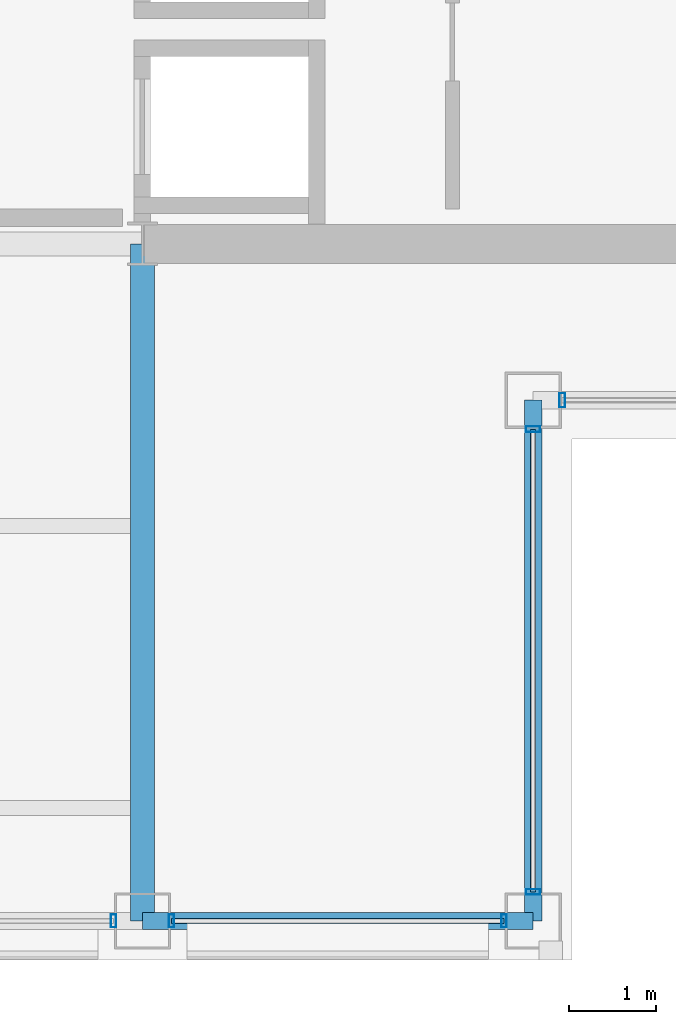
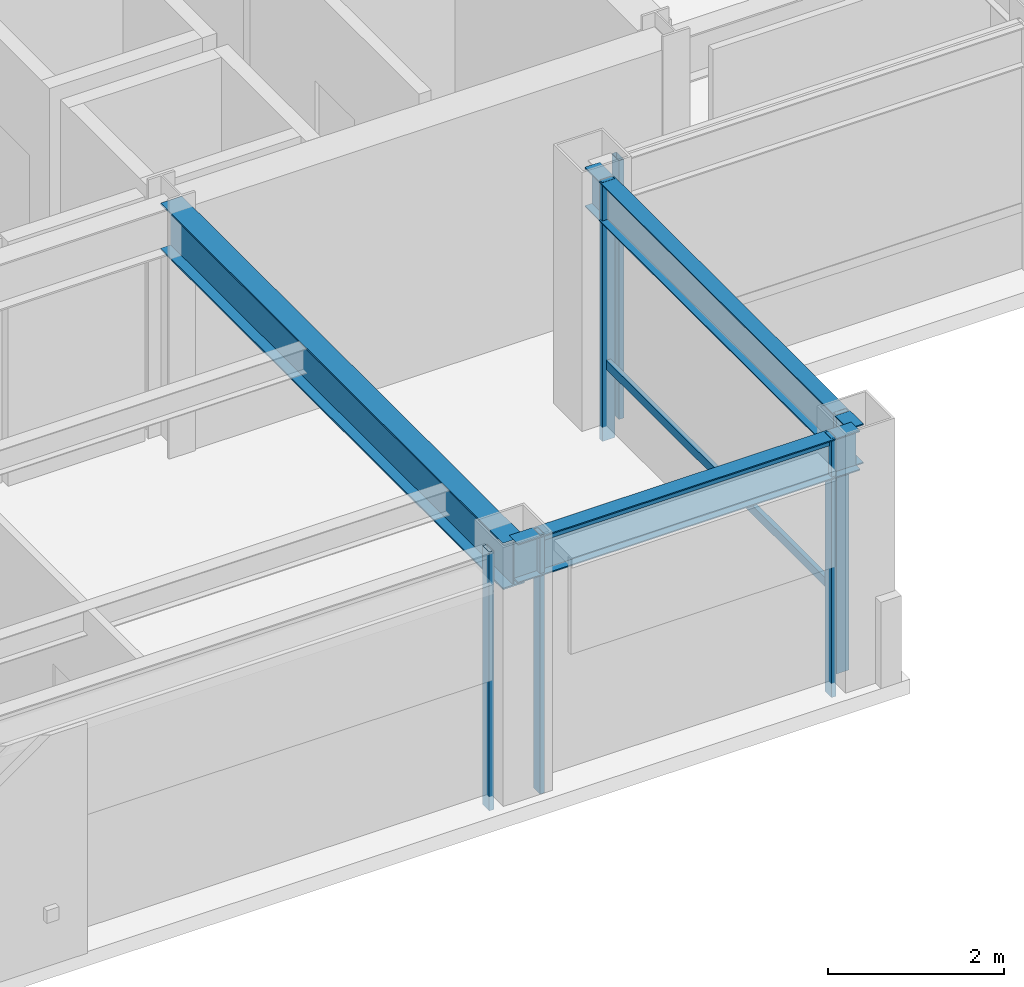
# One storey, part 4 of 23: 8 members, 3 beams, 4 elements without a shape of their own.
"""IFC4 building model written with IfcOpenShell, lengths in metres."""

from ifc_helpers import new_model, si_unit, direction, frame, origin, origin_2d, place, context, subcontext, project, spatial, hollow_rectangle, i_section, extrude, material, layer, layer_set, material_profile, profile_set, type_object, element, aggregate, save


model = new_model("IFC4")

# Units and contexts
model_context = context("Model", 3, precision=1e-05, world=origin(), true_north=direction((0.0, 1.0)))
body_context = subcontext(model_context, "Body", "Model", "MODEL_VIEW")
ifc_project = project(units=[si_unit("LENGTHUNIT", "METRE"), si_unit("AREAUNIT", "SQUARE_METRE"), si_unit("VOLUMEUNIT", "CUBIC_METRE"), si_unit("PLANEANGLEUNIT", "RADIAN"), si_unit("MASSUNIT", "GRAM", prefix="KILO")], contexts=[model_context])

# Site, building, storey
site_placement = place(None, origin())
site = spatial("IfcSite", under=ifc_project, at=site_placement, CompositionType="ELEMENT")
building_placement = place(site_placement, origin())
building = spatial("IfcBuilding", under=site, at=building_placement, Name="Brelmoor Portico Tower", CompositionType="ELEMENT")
storey_placement = place(building_placement, frame((0.0, 0.0, 222.0)))
storey = spatial("IfcBuildingStorey", under=building, at=storey_placement, Name="L58", CompositionType="ELEMENT", Elevation=222.0)

# Beams
ifc_material_1 = material(Name="Steel Q355B", Category="steel")
ifc_material_profile_1 = material_profile(ifc_material_1, i_section(OverallWidth=0.280029296875, OverallDepth=0.64990234375, WebThickness=0.012939453125, FlangeThickness=0.02197265625, at=origin_2d()), Name="HN 650x280x13x22")
ifc_profile_set_1 = profile_set([ifc_material_profile_1], Name="Steel Q355B")
beam_type_1 = type_object("IfcBeamType", Name="BM-PG-650", PredefinedType="BEAM", material=ifc_profile_set_1)
beam_1_placement = place(storey_placement, frame((8.050048828125, -17.550048828125, 3.074951171875), z_axis=(0.0, 1.0, 0.0), x_axis=(-1.0, 0.0, 0.0)))
element("IfcBeam", 1, at=beam_1_placement, inside=storey, type_object=beam_type_1, Name="L58 Primary Floor Girder PG-06", PredefinedType="BEAM", context=body_context, shape_type="SweptSolid", body=[
    extrude(i_section(OverallWidth=0.280029296875, OverallDepth=0.64990234375, WebThickness=0.012939453125, FlangeThickness=0.02197265625, at=origin_2d()), origin(), (0.0, 0.0, 1.0), 7.800048828125),
])
ifc_material_profile_2 = material_profile(ifc_material_1, i_section(OverallWidth=0.199951171875, OverallDepth=0.550048828125, WebThickness=0.010009765625, FlangeThickness=0.01611328125, at=origin_2d()), Name="HN 550x200x10x16")
ifc_profile_set_2 = profile_set([ifc_material_profile_2], Name="Steel Q355B")
beam_type_2 = type_object("IfcBeamType", Name="BM-SP-550", PredefinedType="SPANDREL", material=ifc_profile_set_2)
beam_2_placement = place(storey_placement, frame((8.050048828125, -17.550048828125, 3.125), z_axis=(1.0, 0.0, 0.0), x_axis=(0.0, 1.0, 0.0)))
element("IfcBeam", 2, at=beam_2_placement, inside=storey, type_object=beam_type_2, Name="L58 Perimeter Spandrel Beam SP-03", PredefinedType="SPANDREL", context=body_context, shape_type="SweptSolid", body=[
    extrude(i_section(OverallWidth=0.199951171875, OverallDepth=0.550048828125, WebThickness=0.010009765625, FlangeThickness=0.01611328125, at=origin_2d()), origin(), (0.0, 0.0, 1.0), 4.5),
])
beam_3_placement = place(storey_placement, frame((12.550048828125, -17.550048828125, 3.125), z_axis=(0.0, 1.0, 0.0), x_axis=(-1.0, 0.0, 0.0)))
element("IfcBeam", 3, at=beam_3_placement, inside=storey, type_object=beam_type_2, Name="L58 Perimeter Spandrel Beam SP-16", PredefinedType="SPANDREL", context=body_context, shape_type="SweptSolid", body=[
    extrude(i_section(OverallWidth=0.199951171875, OverallDepth=0.550048828125, WebThickness=0.010009765625, FlangeThickness=0.01611328125, at=origin_2d()), origin(), (0.0, 0.0, 1.0), 6.0),
])

# Curtain wall, member
ifc_material_2 = material(Name="Anodised Aluminium Alloy 6063-T6", Category="aluminium")
ifc_layer_1 = layer(ifc_material_2, 0.179931640625)
ifc_layer_set_1 = layer_set([ifc_layer_1], Name="Anodised Aluminium Alloy 6063-T6")
curtain_wall_type_1 = type_object("IfcCurtainWallType", Name="CW-TOWER-Z4-XB", PredefinedType="NOTDEFINED", material=ifc_layer_set_1)
curtain_wall_1_placement = place(storey_placement, origin())
curtain_wall_1 = element("IfcCurtainWall", 4, at=curtain_wall_1_placement, inside=storey, type_object=curtain_wall_type_1, Name="L58 Curtain Wall CW-L58-01-2", PredefinedType="NOTDEFINED")
ifc_material_profile_3 = material_profile(ifc_material_2, hollow_rectangle(XDim=0.06005859375, YDim=0.14990234375, WallThickness=0.00390625, at=origin_2d()), Name="ALU MULLION 60x150")
ifc_profile_set_3 = profile_set([ifc_material_profile_3], Name="Anodised Aluminium Alloy 6063-T6")
member_type_1 = type_object("IfcMemberType", Name="MB-CW-MULL-150", PredefinedType="MULLION", material=ifc_profile_set_3)
member_1_placement = place(storey_placement, frame((7.715087890625, -17.550048828125, -0.199951171875), z_axis=(0.0, 0.0, 1.0), x_axis=(1.0, 0.0, 0.0)))
member_1 = element("IfcMember", 5, at=member_1_placement, type_object=member_type_1, Name="CW-L58-01-2 Mullion 01", PredefinedType="MULLION", context=body_context, shape_type="SweptSolid", body=[
    extrude(hollow_rectangle(XDim=0.06005859375, YDim=0.14990234375, WallThickness=0.00390625, at=origin_2d()), origin(), (0.0, 0.0, 1.0), 3.599853515625),
])
aggregate(curtain_wall_1, [member_1])

# Curtain wall, members
curtain_wall_2_placement = place(storey_placement, origin())
curtain_wall_2 = element("IfcCurtainWall", 6, at=curtain_wall_2_placement, inside=storey, type_object=curtain_wall_type_1, Name="L58 Curtain Wall CW-L58-01-3", PredefinedType="NOTDEFINED")
member_2_placement = place(storey_placement, frame((8.385009765625, -17.550048828125, -0.199951171875), z_axis=(0.0, 0.0, 1.0), x_axis=(1.0, 0.0, 0.0)))
member_2 = element("IfcMember", 7, at=member_2_placement, type_object=member_type_1, Name="CW-L58-01-3 Mullion 00", PredefinedType="MULLION", context=body_context, shape_type="SweptSolid", body=[
    extrude(hollow_rectangle(XDim=0.06005859375, YDim=0.14990234375, WallThickness=0.00390625, at=origin_2d()), origin(), (0.0, 0.0, 1.0), 3.599853515625),
])
member_3_placement = place(storey_placement, frame((12.215087890625, -17.550048828125, -0.199951171875), z_axis=(0.0, 0.0, 1.0), x_axis=(1.0, 0.0, 0.0)))
member_3 = element("IfcMember", 8, at=member_3_placement, type_object=member_type_1, Name="CW-L58-01-3 Mullion 01", PredefinedType="MULLION", context=body_context, shape_type="SweptSolid", body=[
    extrude(hollow_rectangle(XDim=0.06005859375, YDim=0.14990234375, WallThickness=0.00390625, at=origin_2d()), origin(), (0.0, 0.0, 1.0), 3.599853515625),
])

# Curtain wall, member
ifc_layer_2 = layer(ifc_material_2, 0.179931640625)
ifc_layer_set_2 = layer_set([ifc_layer_2], Name="Anodised Aluminium Alloy 6063-T6")
curtain_wall_type_2 = type_object("IfcCurtainWallType", Name="CW-NOTCH-CHAMFER", PredefinedType="NOTDEFINED", material=ifc_layer_set_2)
curtain_wall_3_placement = place(storey_placement, origin())
curtain_wall_3 = element("IfcCurtainWall", 9, at=curtain_wall_3_placement, inside=storey, type_object=curtain_wall_type_2, Name="L58 Curtain Wall CWN-L58-SEH", PredefinedType="NOTDEFINED")
ifc_material_profile_4 = material_profile(ifc_material_2, hollow_rectangle(XDim=0.06494140625, YDim=0.1650390625, WallThickness=0.00390625, at=origin_2d()), Name="ALU MULLION 65x165")
ifc_profile_set_4 = profile_set([ifc_material_profile_4], Name="Anodised Aluminium Alloy 6063-T6")
member_type_2 = type_object("IfcMemberType", Name="MB-CW-MULL-165", PredefinedType="MULLION", material=ifc_profile_set_4)
member_4_placement = place(storey_placement, frame((12.885009765625, -11.550048828125, -0.199951171875), z_axis=(0.0, 0.0, 1.0), x_axis=(1.0, 0.0, 0.0)))
member_4 = element("IfcMember", 10, at=member_4_placement, type_object=member_type_2, Name="CWN-L58-SEH Mullion 00", PredefinedType="MULLION", context=body_context, shape_type="SweptSolid", body=[
    extrude(hollow_rectangle(XDim=0.06494140625, YDim=0.1650390625, WallThickness=0.00390625, at=origin_2d()), origin(), (0.0, 0.0, 1.0), 3.599853515625),
])
aggregate(curtain_wall_3, [member_4])

# Curtain wall, members
curtain_wall_4_placement = place(storey_placement, origin())
curtain_wall_4 = element("IfcCurtainWall", 11, at=curtain_wall_4_placement, inside=storey, type_object=curtain_wall_type_2, Name="L58 Curtain Wall CWN-L58-SEV", PredefinedType="NOTDEFINED")
member_5_placement = place(storey_placement, frame((12.550048828125, -17.215087890625, -0.199951171875), z_axis=(0.0, 0.0, 1.0), x_axis=(0.0, 1.0, 0.0)))
member_5 = element("IfcMember", 12, at=member_5_placement, type_object=member_type_2, Name="CWN-L58-SEV Mullion 00", PredefinedType="MULLION", context=body_context, shape_type="SweptSolid", body=[
    extrude(hollow_rectangle(XDim=0.06494140625, YDim=0.1650390625, WallThickness=0.00390625, at=origin_2d()), origin(), (0.0, 0.0, 1.0), 3.599853515625),
])
member_6_placement = place(storey_placement, frame((12.550048828125, -11.885009765625, -0.199951171875), z_axis=(0.0, 0.0, 1.0), x_axis=(0.0, 1.0, 0.0)))
member_6 = element("IfcMember", 13, at=member_6_placement, type_object=member_type_2, Name="CWN-L58-SEV Mullion 01", PredefinedType="MULLION", context=body_context, shape_type="SweptSolid", body=[
    extrude(hollow_rectangle(XDim=0.06494140625, YDim=0.1650390625, WallThickness=0.00390625, at=origin_2d()), origin(), (0.0, 0.0, 1.0), 3.599853515625),
])

# Member
ifc_material_profile_5 = material_profile(ifc_material_2, hollow_rectangle(XDim=0.06005859375, YDim=0.125, WallThickness=0.00341796875, at=origin_2d()), Name="ALU TRANSOM 60x125")
ifc_profile_set_5 = profile_set([ifc_material_profile_5], Name="Anodised Aluminium Alloy 6063-T6")
member_type_3 = type_object("IfcMemberType", Name="MB-CW-TRAN-125", PredefinedType="USERDEFINED", material=ifc_profile_set_5)
member_7_placement = place(storey_placement, frame((8.385009765625, -17.550048828125, 3.33740234375), z_axis=(1.0, 0.0, 0.0), x_axis=(0.0, 1.0, 0.0)))
member_7 = element("IfcMember", 14, at=member_7_placement, type_object=member_type_3, Name="CW-L58-01-3 Transom 1-00", ObjectType="TRANSOM", PredefinedType="USERDEFINED", context=body_context, shape_type="SweptSolid", body=[
    extrude(hollow_rectangle(XDim=0.06005859375, YDim=0.125, WallThickness=0.00341796875, at=origin_2d()), origin(), (0.0, 0.0, 1.0), 3.830078125),
])

aggregate(curtain_wall_2, [member_2, member_3, member_7])

member_8_placement = place(storey_placement, frame((12.550048828125, -17.215087890625, 0.85009765625), z_axis=(0.0, 1.0, 0.0), x_axis=(-1.0, 0.0, 0.0)))
member_8 = element("IfcMember", 15, at=member_8_placement, type_object=member_type_3, Name="CWN-L58-SEV Transom 1-00", ObjectType="TRANSOM", PredefinedType="USERDEFINED", context=body_context, shape_type="SweptSolid", body=[
    extrude(hollow_rectangle(XDim=0.06005859375, YDim=0.125, WallThickness=0.00341796875, at=origin_2d()), origin(), (0.0, 0.0, 1.0), 5.330078125),
])

aggregate(curtain_wall_4, [member_5, member_6, member_8])

save(model, "model.ifc")
